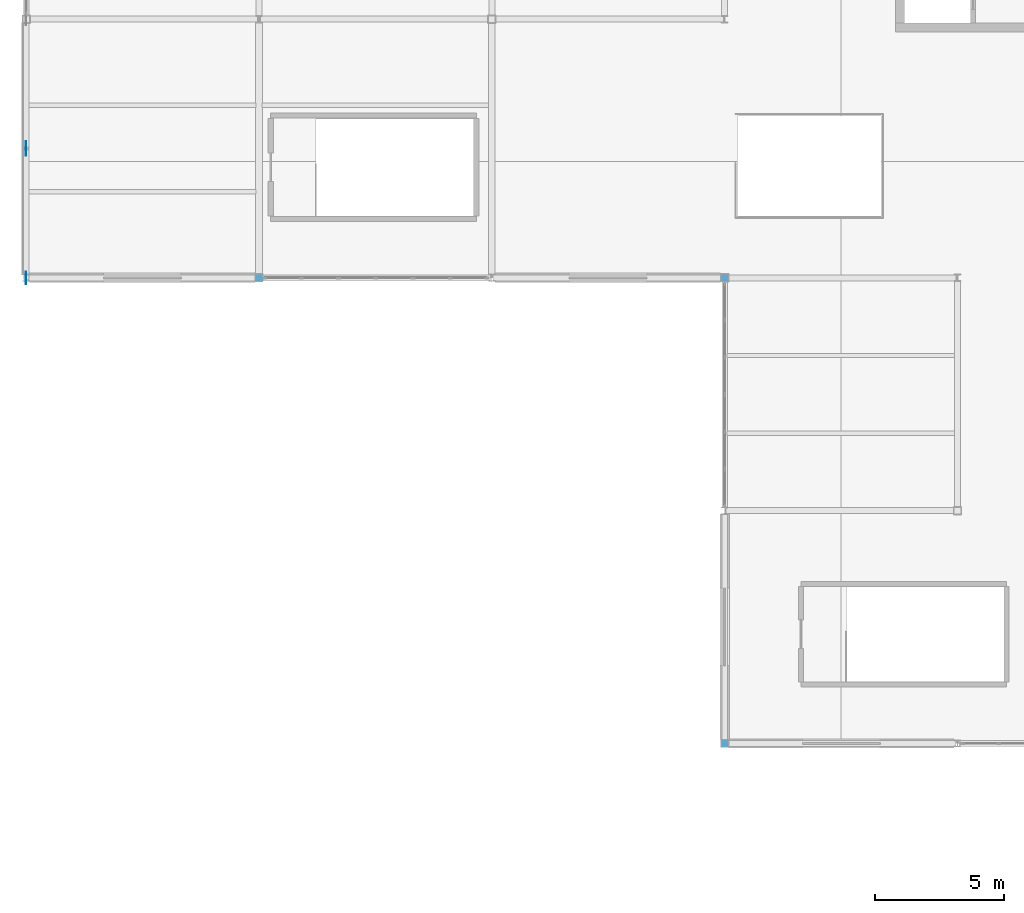
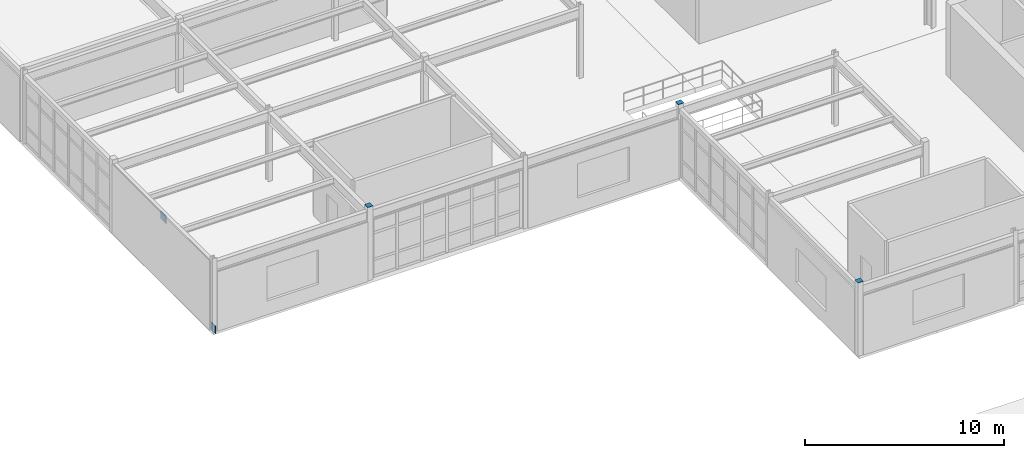
# One storey, part 63 of 81: 5 discrete accessories.
"""IFC4 building model written with IfcOpenShell, lengths in metres."""

from ifc_helpers import new_model, si_unit, direction, frame, origin, origin_2d, place, context, subcontext, project, spatial, rectangle, extrude, material, type_object, element, save


model = new_model("IFC4")

# Units and contexts
model_context = context("Model", 3, precision=1e-05, world=origin(), true_north=direction((0.0, 1.0)))
body_context = subcontext(model_context, "Body", "Model", "MODEL_VIEW")
ifc_project = project(units=[si_unit("LENGTHUNIT", "METRE"), si_unit("AREAUNIT", "SQUARE_METRE"), si_unit("VOLUMEUNIT", "CUBIC_METRE"), si_unit("PLANEANGLEUNIT", "RADIAN"), si_unit("MASSUNIT", "GRAM", prefix="KILO")], contexts=[model_context])

# Site, building, storey
site_placement = place(None, origin())
site = spatial("IfcSite", under=ifc_project, at=site_placement, CompositionType="ELEMENT")
building_placement = place(site_placement, origin())
building = spatial("IfcBuilding", under=site, at=building_placement, Name="Glasvene Arena", CompositionType="ELEMENT")
storey_placement = place(building_placement, frame((0.0, 0.0, 15.0)))
storey = spatial("IfcBuildingStorey", under=building, at=storey_placement, Name="L03", CompositionType="ELEMENT", Elevation=15.0)

# Discrete accessories
ifc_material = material(Name="Steel S355J2", Category="steel")
discrete_accessory_type_1 = type_object("IfcDiscreteAccessoryType", Name="ACC-BRACE-GP20", PredefinedType="BRACKET", material=ifc_material)
discrete_accessory_1_placement = place(storey_placement, frame((0.0, 54.0, -0.070068359375), z_axis=(0.0, 0.0, 1.0), x_axis=(1.0, 0.0, 0.0)))
element("IfcDiscreteAccessory", 1, at=discrete_accessory_1_placement, inside=storey, type_object=discrete_accessory_type_1, Name="Chevron brace base gusset plate L03-015-A", PredefinedType="BRACKET", context=body_context, shape_type="SweptSolid", body=[
    extrude(rectangle(XDim=0.02001953125, YDim=0.47998046875, at=origin_2d()), origin(), (0.0, 0.0, 1.0), 0.47998046875),
])
discrete_accessory_2_placement = place(storey_placement, frame((0.0, 59.0, 3.659912109375), z_axis=(0.0, 0.0, 1.0), x_axis=(1.0, 0.0, 0.0)))
element("IfcDiscreteAccessory", 2, at=discrete_accessory_2_placement, inside=storey, type_object=discrete_accessory_type_1, Name="Chevron brace apex gusset plate L03-016", PredefinedType="BRACKET", context=body_context, shape_type="SweptSolid", body=[
    extrude(rectangle(XDim=0.02001953125, YDim=0.56005859375, at=origin_2d()), origin(), (0.0, 0.0, 1.0), 0.47998046875),
])
discrete_accessory_type_2 = type_object("IfcDiscreteAccessoryType", Name="ACC-CAP-SHS320", PredefinedType="USERDEFINED", material=ifc_material)
for number, where, z_axis, x_axis, name in (
    (3, (9.0, 54.0, 4.498046875), (0.0, 0.0, 1.0), (1.0, 0.0, 0.0), "Hollow column top cap plate 2-7 L03"),
    (4, (27.0, 36.0, 4.498046875), (0.0, 0.0, 1.0), (1.0, 0.0, 0.0), "Hollow column top cap plate 4-5 L03"),
    (5, (27.0, 54.0, 4.498046875), (0.0, 0.0, 1.0), (1.0, 0.0, 0.0), "Hollow column top cap plate 4-7 L03"),
):
    element("IfcDiscreteAccessory", number, at=place(storey_placement, frame(where, z_axis=z_axis, x_axis=x_axis)), inside=storey, type_object=discrete_accessory_type_2, Name=name, ObjectType="CAP PLATE", PredefinedType="USERDEFINED", context=body_context, shape_type="SweptSolid", body=[
        extrude(rectangle(XDim=0.320068359375, YDim=0.320068359375, at=origin_2d()), origin(), (0.0, 0.0, 1.0), 0.02001953125),
    ])

save(model, "model.ifc")
